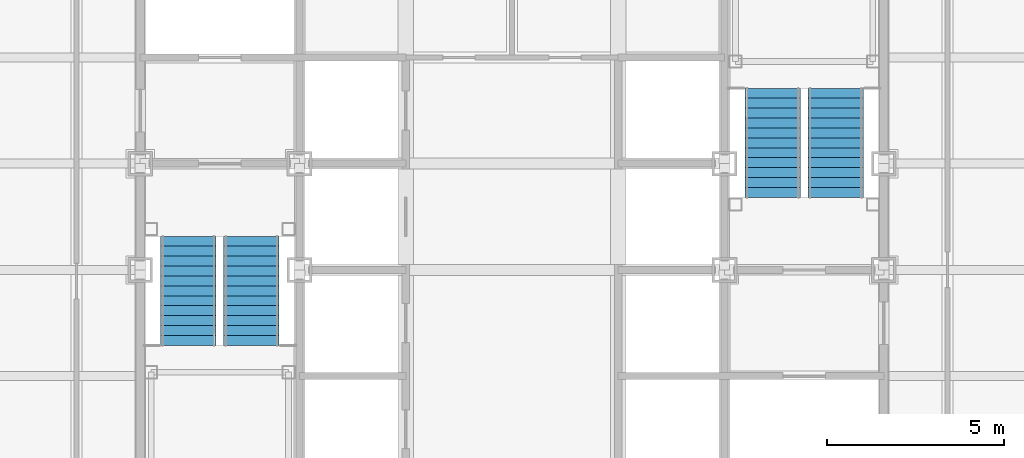
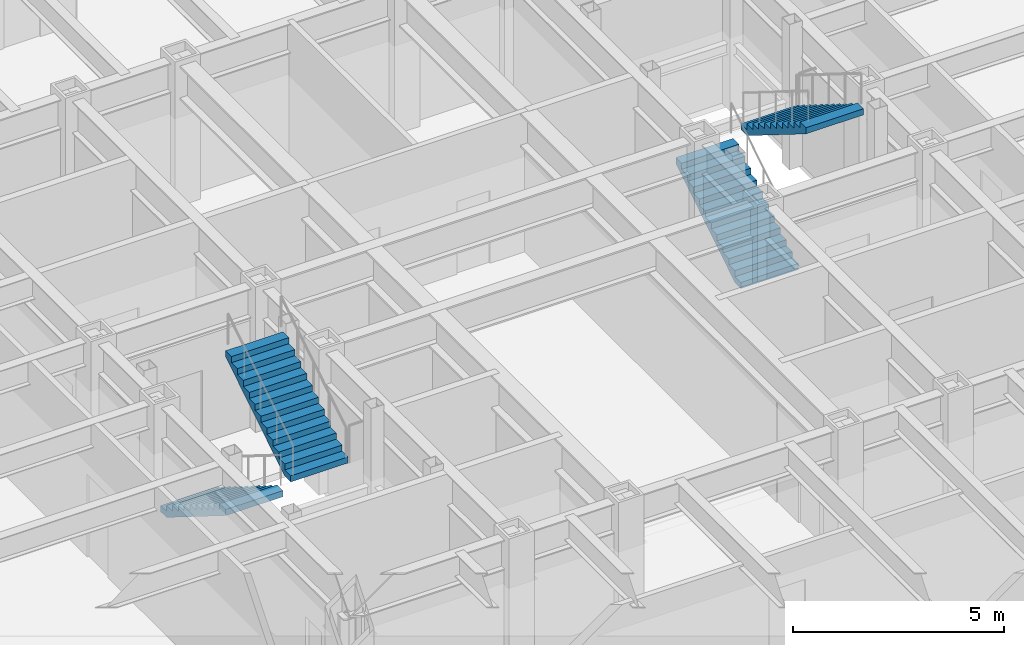
# One storey, part 14 of 17: 4 stair flights, 2 elements without a shape of their own.
"""IFC4 building model written with IfcOpenShell, lengths in metres."""

from ifc_helpers import new_model, si_unit, direction, frame, origin, place, context, subcontext, project, spatial, faceted_brep, material, type_object, element, aggregate, save


model = new_model("IFC4")

# Units and contexts
model_context = context("Model", 3, precision=1e-05, world=origin(), true_north=direction((0.0, 1.0)))
body_context = subcontext(model_context, "Body", "Model", "MODEL_VIEW")
ifc_project = project(units=[si_unit("LENGTHUNIT", "METRE"), si_unit("AREAUNIT", "SQUARE_METRE"), si_unit("VOLUMEUNIT", "CUBIC_METRE"), si_unit("PLANEANGLEUNIT", "RADIAN"), si_unit("MASSUNIT", "GRAM", prefix="KILO")], contexts=[model_context])

# Site, building, storey
site_placement = place(None, origin())
site = spatial("IfcSite", under=ifc_project, at=site_placement, CompositionType="ELEMENT")
building_placement = place(site_placement, origin())
building = spatial("IfcBuilding", under=site, at=building_placement, Name="Chuquiago Exchange Tower", CompositionType="ELEMENT")
storey_placement = place(building_placement, frame((0.0, 0.0, 136.199951171875)))
storey = spatial("IfcBuildingStorey", under=building, at=storey_placement, Name="L29", CompositionType="ELEMENT", Elevation=136.199951171875)

# Stair, stair flights
ifc_material_1 = material(Name="Concrete C30/37, precast", Category="concrete")
stair_type_1 = type_object("IfcStairType", Name="ST1 half-turn stair 4200", PredefinedType="HALF_TURN_STAIR", material=ifc_material_1)
stair_1_placement = place(storey_placement, origin())
stair_1 = element("IfcStair", 1, at=stair_1_placement, inside=storey, type_object=stair_type_1, Name="Stair ST1 L29", PredefinedType="HALF_TURN_STAIR")
ifc_material_2 = material(Name="Concrete C30/37, precast", Category="concrete")
stair_flight_type = type_object("IfcStairFlightType", Name="ST-F flight 1570 for 4200 storey", PredefinedType="STRAIGHT", material=ifc_material_2)
stair_flight_1_placement = place(storey_placement, frame((13.360107421875, 21.949951171875, 0.0), z_axis=(0.0, 0.0, 1.0), x_axis=(0.0, -1.0, 0.0)))
stair_flight_1 = element("IfcStairFlight", 2, at=stair_flight_1_placement, type_object=stair_flight_type, Name="ST1 flight 1", NumberOfRisers=12, NumberOfTreads=11, PredefinedType="STRAIGHT", RiserHeight=0.175, TreadLength=0.28, context=body_context, shape_type="Brep", body=[
    faceted_brep([(0.0, 0.78515625, 0.0), (0.0, 0.78515625, 0.175048828125), (0.280029296875, 0.78515625, 0.175048828125), (0.280029296875, 0.78515625, 0.35009765625), (0.56005859375, 0.78515625, 0.35009765625), (0.56005859375, 0.78515625, 0.52490234375), (0.840087890625, 0.78515625, 0.52490234375), (0.840087890625, 0.78515625, 0.699951171875), (1.1201171875, 0.78515625, 0.699951171875), (1.1201171875, 0.78515625, 0.875), (1.39990234375, 0.78515625, 0.875), (1.39990234375, 0.78515625, 1.050048828125), (1.679931640625, 0.78515625, 1.050048828125), (1.679931640625, 0.78515625, 1.22509765625), (1.9599609375, 0.78515625, 1.22509765625), (1.9599609375, 0.78515625, 1.39990234375), (2.239990234375, 0.78515625, 1.39990234375), (2.239990234375, 0.78515625, 1.574951171875), (2.52001953125, 0.78515625, 1.574951171875), (2.52001953125, 0.78515625, 1.75), (2.800048828125, 0.78515625, 1.75), (2.800048828125, 0.78515625, 1.925048828125), (3.080078125, 0.78515625, 1.925048828125), (3.080078125, 0.78515625, 1.748291015625), (0.28271484375, 0.78515625, 0.0), (0.28271484375, -0.78515625, 0.0), (3.080078125, -0.78515625, 1.748291015625), (3.080078125, -0.78515625, 1.925048828125), (2.800048828125, -0.78515625, 1.925048828125), (2.800048828125, -0.78515625, 1.75), (2.52001953125, -0.78515625, 1.75), (2.52001953125, -0.78515625, 1.574951171875), (2.239990234375, -0.78515625, 1.574951171875), (2.239990234375, -0.78515625, 1.39990234375), (1.9599609375, -0.78515625, 1.39990234375), (1.9599609375, -0.78515625, 1.22509765625), (1.679931640625, -0.78515625, 1.22509765625), (1.679931640625, -0.78515625, 1.050048828125), (1.39990234375, -0.78515625, 1.050048828125), (1.39990234375, -0.78515625, 0.875), (1.1201171875, -0.78515625, 0.875), (1.1201171875, -0.78515625, 0.699951171875), (0.840087890625, -0.78515625, 0.699951171875), (0.840087890625, -0.78515625, 0.52490234375), (0.56005859375, -0.78515625, 0.52490234375), (0.56005859375, -0.78515625, 0.35009765625), (0.280029296875, -0.78515625, 0.35009765625), (0.280029296875, -0.78515625, 0.175048828125), (0.0, -0.78515625, 0.175048828125), (0.0, -0.78515625, 0.0), (0.0, 0.392578125, 0.0), (0.0, 0.392578125, 0.175048828125), (0.0, 0.0, 0.0), (0.0, 0.0, 0.175048828125), (0.0, -0.392578125, 0.0), (0.0, -0.392578125, 0.175048828125), (0.280029296875, 0.392578125, 0.175048828125), (0.280029296875, 0.0, 0.175048828125), (0.280029296875, -0.392578125, 0.175048828125), (0.280029296875, 0.392578125, 0.35009765625), (0.280029296875, 0.0, 0.35009765625), (0.280029296875, -0.392578125, 0.35009765625), (0.56005859375, 0.392578125, 0.35009765625), (0.56005859375, 0.0, 0.35009765625), (0.56005859375, -0.392578125, 0.35009765625), (0.56005859375, 0.392578125, 0.52490234375), (0.56005859375, 0.0, 0.52490234375), (0.56005859375, -0.392578125, 0.52490234375), (0.840087890625, 0.392578125, 0.52490234375), (0.840087890625, 0.0, 0.52490234375), (0.840087890625, -0.392578125, 0.52490234375), (0.840087890625, 0.392578125, 0.699951171875), (0.840087890625, 0.0, 0.699951171875), (0.840087890625, -0.392578125, 0.699951171875), (1.1201171875, 0.392578125, 0.699951171875), (1.1201171875, 0.0, 0.699951171875), (1.1201171875, -0.392578125, 0.699951171875), (1.1201171875, 0.392578125, 0.875), (1.1201171875, 0.0, 0.875), (1.1201171875, -0.392578125, 0.875), (1.39990234375, 0.392578125, 0.875), (1.39990234375, 0.0, 0.875), (1.39990234375, -0.392578125, 0.875), (1.39990234375, 0.392578125, 1.050048828125), (1.39990234375, 0.0, 1.050048828125), (1.39990234375, -0.392578125, 1.050048828125), (1.679931640625, 0.392578125, 1.050048828125), (1.679931640625, 0.0, 1.050048828125), (1.679931640625, -0.392578125, 1.050048828125), (1.679931640625, 0.392578125, 1.22509765625), (1.679931640625, 0.0, 1.22509765625), (1.679931640625, -0.392578125, 1.22509765625), (1.9599609375, 0.392578125, 1.22509765625), (1.9599609375, 0.0, 1.22509765625), (1.9599609375, -0.392578125, 1.22509765625), (1.9599609375, 0.392578125, 1.39990234375), (1.9599609375, 0.0, 1.39990234375), (1.9599609375, -0.392578125, 1.39990234375), (2.239990234375, 0.392578125, 1.39990234375), (2.239990234375, 0.0, 1.39990234375), (2.239990234375, -0.392578125, 1.39990234375), (2.239990234375, 0.392578125, 1.574951171875), (2.239990234375, 0.0, 1.574951171875), (2.239990234375, -0.392578125, 1.574951171875), (2.52001953125, 0.392578125, 1.574951171875), (2.52001953125, 0.0, 1.574951171875), (2.52001953125, -0.392578125, 1.574951171875), (2.52001953125, 0.392578125, 1.75), (2.52001953125, 0.0, 1.75), (2.52001953125, -0.392578125, 1.75), (2.800048828125, 0.392578125, 1.75), (2.800048828125, 0.0, 1.75), (2.800048828125, -0.392578125, 1.75), (2.800048828125, 0.392578125, 1.925048828125), (2.800048828125, 0.0, 1.925048828125), (2.800048828125, -0.392578125, 1.925048828125), (3.080078125, 0.392578125, 1.925048828125), (3.080078125, 0.0, 1.925048828125), (3.080078125, -0.392578125, 1.925048828125), (3.080078125, 0.392578125, 1.748291015625), (3.080078125, 0.0, 1.748291015625), (3.080078125, -0.392578125, 1.748291015625), (0.28271484375, 0.392578125, 0.0), (0.28271484375, 0.0, 0.0), (0.28271484375, -0.392578125, 0.0)], [[[0, 1, 2, 3, 4, 5, 6, 7, 8, 9, 10, 11, 12, 13, 14, 15, 16, 17, 18, 19, 20, 21, 22, 23, 24]], [[25, 26, 27, 28, 29, 30, 31, 32, 33, 34, 35, 36, 37, 38, 39, 40, 41, 42, 43, 44, 45, 46, 47, 48, 49]], [[1, 0, 50, 51]], [[51, 50, 52, 53]], [[53, 52, 54, 55]], [[55, 54, 49, 48]], [[2, 1, 51, 56]], [[56, 51, 53, 57]], [[57, 53, 55, 58]], [[58, 55, 48, 47]], [[3, 2, 56, 59]], [[59, 56, 57, 60]], [[60, 57, 58, 61]], [[61, 58, 47, 46]], [[4, 3, 59, 62]], [[62, 59, 60, 63]], [[63, 60, 61, 64]], [[64, 61, 46, 45]], [[5, 4, 62, 65]], [[65, 62, 63, 66]], [[66, 63, 64, 67]], [[67, 64, 45, 44]], [[6, 5, 65, 68]], [[68, 65, 66, 69]], [[69, 66, 67, 70]], [[70, 67, 44, 43]], [[7, 6, 68, 71]], [[71, 68, 69, 72]], [[72, 69, 70, 73]], [[73, 70, 43, 42]], [[8, 7, 71, 74]], [[74, 71, 72, 75]], [[75, 72, 73, 76]], [[76, 73, 42, 41]], [[9, 8, 74, 77]], [[77, 74, 75, 78]], [[78, 75, 76, 79]], [[79, 76, 41, 40]], [[10, 9, 77, 80]], [[80, 77, 78, 81]], [[81, 78, 79, 82]], [[82, 79, 40, 39]], [[11, 10, 80, 83]], [[83, 80, 81, 84]], [[84, 81, 82, 85]], [[85, 82, 39, 38]], [[12, 11, 83, 86]], [[86, 83, 84, 87]], [[87, 84, 85, 88]], [[88, 85, 38, 37]], [[13, 12, 86, 89]], [[89, 86, 87, 90]], [[90, 87, 88, 91]], [[91, 88, 37, 36]], [[14, 13, 89, 92]], [[92, 89, 90, 93]], [[93, 90, 91, 94]], [[94, 91, 36, 35]], [[15, 14, 92, 95]], [[95, 92, 93, 96]], [[96, 93, 94, 97]], [[97, 94, 35, 34]], [[16, 15, 95, 98]], [[98, 95, 96, 99]], [[99, 96, 97, 100]], [[100, 97, 34, 33]], [[17, 16, 98, 101]], [[101, 98, 99, 102]], [[102, 99, 100, 103]], [[103, 100, 33, 32]], [[18, 17, 101, 104]], [[104, 101, 102, 105]], [[105, 102, 103, 106]], [[106, 103, 32, 31]], [[19, 18, 104, 107]], [[107, 104, 105, 108]], [[108, 105, 106, 109]], [[109, 106, 31, 30]], [[20, 19, 107, 110]], [[110, 107, 108, 111]], [[111, 108, 109, 112]], [[112, 109, 30, 29]], [[21, 20, 110, 113]], [[113, 110, 111, 114]], [[114, 111, 112, 115]], [[115, 112, 29, 28]], [[22, 21, 113, 116]], [[116, 113, 114, 117]], [[117, 114, 115, 118]], [[118, 115, 28, 27]], [[23, 22, 116, 119]], [[119, 116, 117, 120]], [[120, 117, 118, 121]], [[121, 118, 27, 26]], [[24, 23, 119, 122]], [[122, 119, 120, 123]], [[123, 120, 121, 124]], [[124, 121, 26, 25]], [[0, 24, 122, 50]], [[50, 122, 123, 52]], [[52, 123, 124, 54]], [[54, 124, 25, 49]]]),
])
stair_flight_2_placement = place(storey_placement, frame((15.139892578125, 18.8701171875, 2.10009765625), z_axis=(0.0, 0.0, 1.0), x_axis=(0.0, 1.0, 0.0)))
stair_flight_2 = element("IfcStairFlight", 3, at=stair_flight_2_placement, type_object=stair_flight_type, Name="ST1 flight 2", NumberOfRisers=12, NumberOfTreads=11, PredefinedType="STRAIGHT", RiserHeight=0.175, TreadLength=0.28, context=body_context, shape_type="Brep", body=[
    faceted_brep([(0.0, 0.78515625, 0.0), (0.0, 0.78515625, 0.175048828125), (0.280029296875, 0.78515625, 0.175048828125), (0.280029296875, 0.78515625, 0.35009765625), (0.56005859375, 0.78515625, 0.35009765625), (0.56005859375, 0.78515625, 0.52490234375), (0.840087890625, 0.78515625, 0.52490234375), (0.840087890625, 0.78515625, 0.699951171875), (1.1201171875, 0.78515625, 0.699951171875), (1.1201171875, 0.78515625, 0.875), (1.39990234375, 0.78515625, 0.875), (1.39990234375, 0.78515625, 1.050048828125), (1.679931640625, 0.78515625, 1.050048828125), (1.679931640625, 0.78515625, 1.22509765625), (1.9599609375, 0.78515625, 1.22509765625), (1.9599609375, 0.78515625, 1.39990234375), (2.239990234375, 0.78515625, 1.39990234375), (2.239990234375, 0.78515625, 1.574951171875), (2.52001953125, 0.78515625, 1.574951171875), (2.52001953125, 0.78515625, 1.75), (2.800048828125, 0.78515625, 1.75), (2.800048828125, 0.78515625, 1.925048828125), (3.080078125, 0.78515625, 1.925048828125), (3.080078125, 0.78515625, 1.748291015625), (0.28271484375, 0.78515625, 0.0), (0.28271484375, -0.78515625, 0.0), (3.080078125, -0.78515625, 1.748291015625), (3.080078125, -0.78515625, 1.925048828125), (2.800048828125, -0.78515625, 1.925048828125), (2.800048828125, -0.78515625, 1.75), (2.52001953125, -0.78515625, 1.75), (2.52001953125, -0.78515625, 1.574951171875), (2.239990234375, -0.78515625, 1.574951171875), (2.239990234375, -0.78515625, 1.39990234375), (1.9599609375, -0.78515625, 1.39990234375), (1.9599609375, -0.78515625, 1.22509765625), (1.679931640625, -0.78515625, 1.22509765625), (1.679931640625, -0.78515625, 1.050048828125), (1.39990234375, -0.78515625, 1.050048828125), (1.39990234375, -0.78515625, 0.875), (1.1201171875, -0.78515625, 0.875), (1.1201171875, -0.78515625, 0.699951171875), (0.840087890625, -0.78515625, 0.699951171875), (0.840087890625, -0.78515625, 0.52490234375), (0.56005859375, -0.78515625, 0.52490234375), (0.56005859375, -0.78515625, 0.35009765625), (0.280029296875, -0.78515625, 0.35009765625), (0.280029296875, -0.78515625, 0.175048828125), (0.0, -0.78515625, 0.175048828125), (0.0, -0.78515625, 0.0), (0.0, 0.392578125, 0.0), (0.0, 0.392578125, 0.175048828125), (0.0, 0.0, 0.0), (0.0, 0.0, 0.175048828125), (0.0, -0.392578125, 0.0), (0.0, -0.392578125, 0.175048828125), (0.280029296875, 0.392578125, 0.175048828125), (0.280029296875, 0.0, 0.175048828125), (0.280029296875, -0.392578125, 0.175048828125), (0.280029296875, 0.392578125, 0.35009765625), (0.280029296875, 0.0, 0.35009765625), (0.280029296875, -0.392578125, 0.35009765625), (0.56005859375, 0.392578125, 0.35009765625), (0.56005859375, 0.0, 0.35009765625), (0.56005859375, -0.392578125, 0.35009765625), (0.56005859375, 0.392578125, 0.52490234375), (0.56005859375, 0.0, 0.52490234375), (0.56005859375, -0.392578125, 0.52490234375), (0.840087890625, 0.392578125, 0.52490234375), (0.840087890625, 0.0, 0.52490234375), (0.840087890625, -0.392578125, 0.52490234375), (0.840087890625, 0.392578125, 0.699951171875), (0.840087890625, 0.0, 0.699951171875), (0.840087890625, -0.392578125, 0.699951171875), (1.1201171875, 0.392578125, 0.699951171875), (1.1201171875, 0.0, 0.699951171875), (1.1201171875, -0.392578125, 0.699951171875), (1.1201171875, 0.392578125, 0.875), (1.1201171875, 0.0, 0.875), (1.1201171875, -0.392578125, 0.875), (1.39990234375, 0.392578125, 0.875), (1.39990234375, 0.0, 0.875), (1.39990234375, -0.392578125, 0.875), (1.39990234375, 0.392578125, 1.050048828125), (1.39990234375, 0.0, 1.050048828125), (1.39990234375, -0.392578125, 1.050048828125), (1.679931640625, 0.392578125, 1.050048828125), (1.679931640625, 0.0, 1.050048828125), (1.679931640625, -0.392578125, 1.050048828125), (1.679931640625, 0.392578125, 1.22509765625), (1.679931640625, 0.0, 1.22509765625), (1.679931640625, -0.392578125, 1.22509765625), (1.9599609375, 0.392578125, 1.22509765625), (1.9599609375, 0.0, 1.22509765625), (1.9599609375, -0.392578125, 1.22509765625), (1.9599609375, 0.392578125, 1.39990234375), (1.9599609375, 0.0, 1.39990234375), (1.9599609375, -0.392578125, 1.39990234375), (2.239990234375, 0.392578125, 1.39990234375), (2.239990234375, 0.0, 1.39990234375), (2.239990234375, -0.392578125, 1.39990234375), (2.239990234375, 0.392578125, 1.574951171875), (2.239990234375, 0.0, 1.574951171875), (2.239990234375, -0.392578125, 1.574951171875), (2.52001953125, 0.392578125, 1.574951171875), (2.52001953125, 0.0, 1.574951171875), (2.52001953125, -0.392578125, 1.574951171875), (2.52001953125, 0.392578125, 1.75), (2.52001953125, 0.0, 1.75), (2.52001953125, -0.392578125, 1.75), (2.800048828125, 0.392578125, 1.75), (2.800048828125, 0.0, 1.75), (2.800048828125, -0.392578125, 1.75), (2.800048828125, 0.392578125, 1.925048828125), (2.800048828125, 0.0, 1.925048828125), (2.800048828125, -0.392578125, 1.925048828125), (3.080078125, 0.392578125, 1.925048828125), (3.080078125, 0.0, 1.925048828125), (3.080078125, -0.392578125, 1.925048828125), (3.080078125, 0.392578125, 1.748291015625), (3.080078125, 0.0, 1.748291015625), (3.080078125, -0.392578125, 1.748291015625), (0.28271484375, 0.392578125, 0.0), (0.28271484375, 0.0, 0.0), (0.28271484375, -0.392578125, 0.0)], [[[0, 1, 2, 3, 4, 5, 6, 7, 8, 9, 10, 11, 12, 13, 14, 15, 16, 17, 18, 19, 20, 21, 22, 23, 24]], [[25, 26, 27, 28, 29, 30, 31, 32, 33, 34, 35, 36, 37, 38, 39, 40, 41, 42, 43, 44, 45, 46, 47, 48, 49]], [[1, 0, 50, 51]], [[51, 50, 52, 53]], [[53, 52, 54, 55]], [[55, 54, 49, 48]], [[2, 1, 51, 56]], [[56, 51, 53, 57]], [[57, 53, 55, 58]], [[58, 55, 48, 47]], [[3, 2, 56, 59]], [[59, 56, 57, 60]], [[60, 57, 58, 61]], [[61, 58, 47, 46]], [[4, 3, 59, 62]], [[62, 59, 60, 63]], [[63, 60, 61, 64]], [[64, 61, 46, 45]], [[5, 4, 62, 65]], [[65, 62, 63, 66]], [[66, 63, 64, 67]], [[67, 64, 45, 44]], [[6, 5, 65, 68]], [[68, 65, 66, 69]], [[69, 66, 67, 70]], [[70, 67, 44, 43]], [[7, 6, 68, 71]], [[71, 68, 69, 72]], [[72, 69, 70, 73]], [[73, 70, 43, 42]], [[8, 7, 71, 74]], [[74, 71, 72, 75]], [[75, 72, 73, 76]], [[76, 73, 42, 41]], [[9, 8, 74, 77]], [[77, 74, 75, 78]], [[78, 75, 76, 79]], [[79, 76, 41, 40]], [[10, 9, 77, 80]], [[80, 77, 78, 81]], [[81, 78, 79, 82]], [[82, 79, 40, 39]], [[11, 10, 80, 83]], [[83, 80, 81, 84]], [[84, 81, 82, 85]], [[85, 82, 39, 38]], [[12, 11, 83, 86]], [[86, 83, 84, 87]], [[87, 84, 85, 88]], [[88, 85, 38, 37]], [[13, 12, 86, 89]], [[89, 86, 87, 90]], [[90, 87, 88, 91]], [[91, 88, 37, 36]], [[14, 13, 89, 92]], [[92, 89, 90, 93]], [[93, 90, 91, 94]], [[94, 91, 36, 35]], [[15, 14, 92, 95]], [[95, 92, 93, 96]], [[96, 93, 94, 97]], [[97, 94, 35, 34]], [[16, 15, 95, 98]], [[98, 95, 96, 99]], [[99, 96, 97, 100]], [[100, 97, 34, 33]], [[17, 16, 98, 101]], [[101, 98, 99, 102]], [[102, 99, 100, 103]], [[103, 100, 33, 32]], [[18, 17, 101, 104]], [[104, 101, 102, 105]], [[105, 102, 103, 106]], [[106, 103, 32, 31]], [[19, 18, 104, 107]], [[107, 104, 105, 108]], [[108, 105, 106, 109]], [[109, 106, 31, 30]], [[20, 19, 107, 110]], [[110, 107, 108, 111]], [[111, 108, 109, 112]], [[112, 109, 30, 29]], [[21, 20, 110, 113]], [[113, 110, 111, 114]], [[114, 111, 112, 115]], [[115, 112, 29, 28]], [[22, 21, 113, 116]], [[116, 113, 114, 117]], [[117, 114, 115, 118]], [[118, 115, 28, 27]], [[23, 22, 116, 119]], [[119, 116, 117, 120]], [[120, 117, 118, 121]], [[121, 118, 27, 26]], [[24, 23, 119, 122]], [[122, 119, 120, 123]], [[123, 120, 121, 124]], [[124, 121, 26, 25]], [[0, 24, 122, 50]], [[50, 122, 123, 52]], [[52, 123, 124, 54]], [[54, 124, 25, 49]]]),
])
aggregate(stair_1, [stair_flight_1, stair_flight_2])

ifc_material_3 = material(Name="Concrete C30/37, precast", Category="concrete")
stair_type_2 = type_object("IfcStairType", Name="ST2 half-turn stair 4200", PredefinedType="HALF_TURN_STAIR", material=ifc_material_3)
stair_2_placement = place(storey_placement, origin())
stair_2 = element("IfcStair", 4, at=stair_2_placement, inside=storey, type_object=stair_type_2, Name="Stair ST2 L29", PredefinedType="HALF_TURN_STAIR")
stair_flight_3_placement = place(storey_placement, frame((29.860107421875, 23.050048828125, 0.0), z_axis=(0.0, 0.0, 1.0), x_axis=(0.0, 1.0, 0.0)))
stair_flight_3 = element("IfcStairFlight", 5, at=stair_flight_3_placement, type_object=stair_flight_type, Name="ST2 flight 1", NumberOfRisers=12, NumberOfTreads=11, PredefinedType="STRAIGHT", RiserHeight=0.175, TreadLength=0.28, context=body_context, shape_type="Brep", body=[
    faceted_brep([(0.0, 0.78515625, 0.0), (0.0, 0.78515625, 0.175048828125), (0.280029296875, 0.78515625, 0.175048828125), (0.280029296875, 0.78515625, 0.35009765625), (0.56005859375, 0.78515625, 0.35009765625), (0.56005859375, 0.78515625, 0.52490234375), (0.840087890625, 0.78515625, 0.52490234375), (0.840087890625, 0.78515625, 0.699951171875), (1.1201171875, 0.78515625, 0.699951171875), (1.1201171875, 0.78515625, 0.875), (1.39990234375, 0.78515625, 0.875), (1.39990234375, 0.78515625, 1.050048828125), (1.679931640625, 0.78515625, 1.050048828125), (1.679931640625, 0.78515625, 1.22509765625), (1.9599609375, 0.78515625, 1.22509765625), (1.9599609375, 0.78515625, 1.39990234375), (2.239990234375, 0.78515625, 1.39990234375), (2.239990234375, 0.78515625, 1.574951171875), (2.52001953125, 0.78515625, 1.574951171875), (2.52001953125, 0.78515625, 1.75), (2.800048828125, 0.78515625, 1.75), (2.800048828125, 0.78515625, 1.925048828125), (3.080078125, 0.78515625, 1.925048828125), (3.080078125, 0.78515625, 1.748291015625), (0.28271484375, 0.78515625, 0.0), (0.28271484375, -0.78515625, 0.0), (3.080078125, -0.78515625, 1.748291015625), (3.080078125, -0.78515625, 1.925048828125), (2.800048828125, -0.78515625, 1.925048828125), (2.800048828125, -0.78515625, 1.75), (2.52001953125, -0.78515625, 1.75), (2.52001953125, -0.78515625, 1.574951171875), (2.239990234375, -0.78515625, 1.574951171875), (2.239990234375, -0.78515625, 1.39990234375), (1.9599609375, -0.78515625, 1.39990234375), (1.9599609375, -0.78515625, 1.22509765625), (1.679931640625, -0.78515625, 1.22509765625), (1.679931640625, -0.78515625, 1.050048828125), (1.39990234375, -0.78515625, 1.050048828125), (1.39990234375, -0.78515625, 0.875), (1.1201171875, -0.78515625, 0.875), (1.1201171875, -0.78515625, 0.699951171875), (0.840087890625, -0.78515625, 0.699951171875), (0.840087890625, -0.78515625, 0.52490234375), (0.56005859375, -0.78515625, 0.52490234375), (0.56005859375, -0.78515625, 0.35009765625), (0.280029296875, -0.78515625, 0.35009765625), (0.280029296875, -0.78515625, 0.175048828125), (0.0, -0.78515625, 0.175048828125), (0.0, -0.78515625, 0.0), (0.0, 0.392578125, 0.0), (0.0, 0.392578125, 0.175048828125), (0.0, 0.0, 0.0), (0.0, 0.0, 0.175048828125), (0.0, -0.392578125, 0.0), (0.0, -0.392578125, 0.175048828125), (0.280029296875, 0.392578125, 0.175048828125), (0.280029296875, 0.0, 0.175048828125), (0.280029296875, -0.392578125, 0.175048828125), (0.280029296875, 0.392578125, 0.35009765625), (0.280029296875, 0.0, 0.35009765625), (0.280029296875, -0.392578125, 0.35009765625), (0.56005859375, 0.392578125, 0.35009765625), (0.56005859375, 0.0, 0.35009765625), (0.56005859375, -0.392578125, 0.35009765625), (0.56005859375, 0.392578125, 0.52490234375), (0.56005859375, 0.0, 0.52490234375), (0.56005859375, -0.392578125, 0.52490234375), (0.840087890625, 0.392578125, 0.52490234375), (0.840087890625, 0.0, 0.52490234375), (0.840087890625, -0.392578125, 0.52490234375), (0.840087890625, 0.392578125, 0.699951171875), (0.840087890625, 0.0, 0.699951171875), (0.840087890625, -0.392578125, 0.699951171875), (1.1201171875, 0.392578125, 0.699951171875), (1.1201171875, 0.0, 0.699951171875), (1.1201171875, -0.392578125, 0.699951171875), (1.1201171875, 0.392578125, 0.875), (1.1201171875, 0.0, 0.875), (1.1201171875, -0.392578125, 0.875), (1.39990234375, 0.392578125, 0.875), (1.39990234375, 0.0, 0.875), (1.39990234375, -0.392578125, 0.875), (1.39990234375, 0.392578125, 1.050048828125), (1.39990234375, 0.0, 1.050048828125), (1.39990234375, -0.392578125, 1.050048828125), (1.679931640625, 0.392578125, 1.050048828125), (1.679931640625, 0.0, 1.050048828125), (1.679931640625, -0.392578125, 1.050048828125), (1.679931640625, 0.392578125, 1.22509765625), (1.679931640625, 0.0, 1.22509765625), (1.679931640625, -0.392578125, 1.22509765625), (1.9599609375, 0.392578125, 1.22509765625), (1.9599609375, 0.0, 1.22509765625), (1.9599609375, -0.392578125, 1.22509765625), (1.9599609375, 0.392578125, 1.39990234375), (1.9599609375, 0.0, 1.39990234375), (1.9599609375, -0.392578125, 1.39990234375), (2.239990234375, 0.392578125, 1.39990234375), (2.239990234375, 0.0, 1.39990234375), (2.239990234375, -0.392578125, 1.39990234375), (2.239990234375, 0.392578125, 1.574951171875), (2.239990234375, 0.0, 1.574951171875), (2.239990234375, -0.392578125, 1.574951171875), (2.52001953125, 0.392578125, 1.574951171875), (2.52001953125, 0.0, 1.574951171875), (2.52001953125, -0.392578125, 1.574951171875), (2.52001953125, 0.392578125, 1.75), (2.52001953125, 0.0, 1.75), (2.52001953125, -0.392578125, 1.75), (2.800048828125, 0.392578125, 1.75), (2.800048828125, 0.0, 1.75), (2.800048828125, -0.392578125, 1.75), (2.800048828125, 0.392578125, 1.925048828125), (2.800048828125, 0.0, 1.925048828125), (2.800048828125, -0.392578125, 1.925048828125), (3.080078125, 0.392578125, 1.925048828125), (3.080078125, 0.0, 1.925048828125), (3.080078125, -0.392578125, 1.925048828125), (3.080078125, 0.392578125, 1.748291015625), (3.080078125, 0.0, 1.748291015625), (3.080078125, -0.392578125, 1.748291015625), (0.28271484375, 0.392578125, 0.0), (0.28271484375, 0.0, 0.0), (0.28271484375, -0.392578125, 0.0)], [[[0, 1, 2, 3, 4, 5, 6, 7, 8, 9, 10, 11, 12, 13, 14, 15, 16, 17, 18, 19, 20, 21, 22, 23, 24]], [[25, 26, 27, 28, 29, 30, 31, 32, 33, 34, 35, 36, 37, 38, 39, 40, 41, 42, 43, 44, 45, 46, 47, 48, 49]], [[1, 0, 50, 51]], [[51, 50, 52, 53]], [[53, 52, 54, 55]], [[55, 54, 49, 48]], [[2, 1, 51, 56]], [[56, 51, 53, 57]], [[57, 53, 55, 58]], [[58, 55, 48, 47]], [[3, 2, 56, 59]], [[59, 56, 57, 60]], [[60, 57, 58, 61]], [[61, 58, 47, 46]], [[4, 3, 59, 62]], [[62, 59, 60, 63]], [[63, 60, 61, 64]], [[64, 61, 46, 45]], [[5, 4, 62, 65]], [[65, 62, 63, 66]], [[66, 63, 64, 67]], [[67, 64, 45, 44]], [[6, 5, 65, 68]], [[68, 65, 66, 69]], [[69, 66, 67, 70]], [[70, 67, 44, 43]], [[7, 6, 68, 71]], [[71, 68, 69, 72]], [[72, 69, 70, 73]], [[73, 70, 43, 42]], [[8, 7, 71, 74]], [[74, 71, 72, 75]], [[75, 72, 73, 76]], [[76, 73, 42, 41]], [[9, 8, 74, 77]], [[77, 74, 75, 78]], [[78, 75, 76, 79]], [[79, 76, 41, 40]], [[10, 9, 77, 80]], [[80, 77, 78, 81]], [[81, 78, 79, 82]], [[82, 79, 40, 39]], [[11, 10, 80, 83]], [[83, 80, 81, 84]], [[84, 81, 82, 85]], [[85, 82, 39, 38]], [[12, 11, 83, 86]], [[86, 83, 84, 87]], [[87, 84, 85, 88]], [[88, 85, 38, 37]], [[13, 12, 86, 89]], [[89, 86, 87, 90]], [[90, 87, 88, 91]], [[91, 88, 37, 36]], [[14, 13, 89, 92]], [[92, 89, 90, 93]], [[93, 90, 91, 94]], [[94, 91, 36, 35]], [[15, 14, 92, 95]], [[95, 92, 93, 96]], [[96, 93, 94, 97]], [[97, 94, 35, 34]], [[16, 15, 95, 98]], [[98, 95, 96, 99]], [[99, 96, 97, 100]], [[100, 97, 34, 33]], [[17, 16, 98, 101]], [[101, 98, 99, 102]], [[102, 99, 100, 103]], [[103, 100, 33, 32]], [[18, 17, 101, 104]], [[104, 101, 102, 105]], [[105, 102, 103, 106]], [[106, 103, 32, 31]], [[19, 18, 104, 107]], [[107, 104, 105, 108]], [[108, 105, 106, 109]], [[109, 106, 31, 30]], [[20, 19, 107, 110]], [[110, 107, 108, 111]], [[111, 108, 109, 112]], [[112, 109, 30, 29]], [[21, 20, 110, 113]], [[113, 110, 111, 114]], [[114, 111, 112, 115]], [[115, 112, 29, 28]], [[22, 21, 113, 116]], [[116, 113, 114, 117]], [[117, 114, 115, 118]], [[118, 115, 28, 27]], [[23, 22, 116, 119]], [[119, 116, 117, 120]], [[120, 117, 118, 121]], [[121, 118, 27, 26]], [[24, 23, 119, 122]], [[122, 119, 120, 123]], [[123, 120, 121, 124]], [[124, 121, 26, 25]], [[0, 24, 122, 50]], [[50, 122, 123, 52]], [[52, 123, 124, 54]], [[54, 124, 25, 49]]]),
])
stair_flight_4_placement = place(storey_placement, frame((31.639892578125, 26.1298828125, 2.10009765625), z_axis=(0.0, 0.0, 1.0), x_axis=(0.0, -1.0, 0.0)))
stair_flight_4 = element("IfcStairFlight", 6, at=stair_flight_4_placement, type_object=stair_flight_type, Name="ST2 flight 2", NumberOfRisers=12, NumberOfTreads=11, PredefinedType="STRAIGHT", RiserHeight=0.175, TreadLength=0.28, context=body_context, shape_type="Brep", body=[
    faceted_brep([(0.0, 0.78515625, 0.0), (0.0, 0.78515625, 0.175048828125), (0.280029296875, 0.78515625, 0.175048828125), (0.280029296875, 0.78515625, 0.35009765625), (0.56005859375, 0.78515625, 0.35009765625), (0.56005859375, 0.78515625, 0.52490234375), (0.840087890625, 0.78515625, 0.52490234375), (0.840087890625, 0.78515625, 0.699951171875), (1.1201171875, 0.78515625, 0.699951171875), (1.1201171875, 0.78515625, 0.875), (1.39990234375, 0.78515625, 0.875), (1.39990234375, 0.78515625, 1.050048828125), (1.679931640625, 0.78515625, 1.050048828125), (1.679931640625, 0.78515625, 1.22509765625), (1.9599609375, 0.78515625, 1.22509765625), (1.9599609375, 0.78515625, 1.39990234375), (2.239990234375, 0.78515625, 1.39990234375), (2.239990234375, 0.78515625, 1.574951171875), (2.52001953125, 0.78515625, 1.574951171875), (2.52001953125, 0.78515625, 1.75), (2.800048828125, 0.78515625, 1.75), (2.800048828125, 0.78515625, 1.925048828125), (3.080078125, 0.78515625, 1.925048828125), (3.080078125, 0.78515625, 1.748291015625), (0.28271484375, 0.78515625, 0.0), (0.28271484375, -0.78515625, 0.0), (3.080078125, -0.78515625, 1.748291015625), (3.080078125, -0.78515625, 1.925048828125), (2.800048828125, -0.78515625, 1.925048828125), (2.800048828125, -0.78515625, 1.75), (2.52001953125, -0.78515625, 1.75), (2.52001953125, -0.78515625, 1.574951171875), (2.239990234375, -0.78515625, 1.574951171875), (2.239990234375, -0.78515625, 1.39990234375), (1.9599609375, -0.78515625, 1.39990234375), (1.9599609375, -0.78515625, 1.22509765625), (1.679931640625, -0.78515625, 1.22509765625), (1.679931640625, -0.78515625, 1.050048828125), (1.39990234375, -0.78515625, 1.050048828125), (1.39990234375, -0.78515625, 0.875), (1.1201171875, -0.78515625, 0.875), (1.1201171875, -0.78515625, 0.699951171875), (0.840087890625, -0.78515625, 0.699951171875), (0.840087890625, -0.78515625, 0.52490234375), (0.56005859375, -0.78515625, 0.52490234375), (0.56005859375, -0.78515625, 0.35009765625), (0.280029296875, -0.78515625, 0.35009765625), (0.280029296875, -0.78515625, 0.175048828125), (0.0, -0.78515625, 0.175048828125), (0.0, -0.78515625, 0.0), (0.0, 0.392578125, 0.0), (0.0, 0.392578125, 0.175048828125), (0.0, 0.0, 0.0), (0.0, 0.0, 0.175048828125), (0.0, -0.392578125, 0.0), (0.0, -0.392578125, 0.175048828125), (0.280029296875, 0.392578125, 0.175048828125), (0.280029296875, 0.0, 0.175048828125), (0.280029296875, -0.392578125, 0.175048828125), (0.280029296875, 0.392578125, 0.35009765625), (0.280029296875, 0.0, 0.35009765625), (0.280029296875, -0.392578125, 0.35009765625), (0.56005859375, 0.392578125, 0.35009765625), (0.56005859375, 0.0, 0.35009765625), (0.56005859375, -0.392578125, 0.35009765625), (0.56005859375, 0.392578125, 0.52490234375), (0.56005859375, 0.0, 0.52490234375), (0.56005859375, -0.392578125, 0.52490234375), (0.840087890625, 0.392578125, 0.52490234375), (0.840087890625, 0.0, 0.52490234375), (0.840087890625, -0.392578125, 0.52490234375), (0.840087890625, 0.392578125, 0.699951171875), (0.840087890625, 0.0, 0.699951171875), (0.840087890625, -0.392578125, 0.699951171875), (1.1201171875, 0.392578125, 0.699951171875), (1.1201171875, 0.0, 0.699951171875), (1.1201171875, -0.392578125, 0.699951171875), (1.1201171875, 0.392578125, 0.875), (1.1201171875, 0.0, 0.875), (1.1201171875, -0.392578125, 0.875), (1.39990234375, 0.392578125, 0.875), (1.39990234375, 0.0, 0.875), (1.39990234375, -0.392578125, 0.875), (1.39990234375, 0.392578125, 1.050048828125), (1.39990234375, 0.0, 1.050048828125), (1.39990234375, -0.392578125, 1.050048828125), (1.679931640625, 0.392578125, 1.050048828125), (1.679931640625, 0.0, 1.050048828125), (1.679931640625, -0.392578125, 1.050048828125), (1.679931640625, 0.392578125, 1.22509765625), (1.679931640625, 0.0, 1.22509765625), (1.679931640625, -0.392578125, 1.22509765625), (1.9599609375, 0.392578125, 1.22509765625), (1.9599609375, 0.0, 1.22509765625), (1.9599609375, -0.392578125, 1.22509765625), (1.9599609375, 0.392578125, 1.39990234375), (1.9599609375, 0.0, 1.39990234375), (1.9599609375, -0.392578125, 1.39990234375), (2.239990234375, 0.392578125, 1.39990234375), (2.239990234375, 0.0, 1.39990234375), (2.239990234375, -0.392578125, 1.39990234375), (2.239990234375, 0.392578125, 1.574951171875), (2.239990234375, 0.0, 1.574951171875), (2.239990234375, -0.392578125, 1.574951171875), (2.52001953125, 0.392578125, 1.574951171875), (2.52001953125, 0.0, 1.574951171875), (2.52001953125, -0.392578125, 1.574951171875), (2.52001953125, 0.392578125, 1.75), (2.52001953125, 0.0, 1.75), (2.52001953125, -0.392578125, 1.75), (2.800048828125, 0.392578125, 1.75), (2.800048828125, 0.0, 1.75), (2.800048828125, -0.392578125, 1.75), (2.800048828125, 0.392578125, 1.925048828125), (2.800048828125, 0.0, 1.925048828125), (2.800048828125, -0.392578125, 1.925048828125), (3.080078125, 0.392578125, 1.925048828125), (3.080078125, 0.0, 1.925048828125), (3.080078125, -0.392578125, 1.925048828125), (3.080078125, 0.392578125, 1.748291015625), (3.080078125, 0.0, 1.748291015625), (3.080078125, -0.392578125, 1.748291015625), (0.28271484375, 0.392578125, 0.0), (0.28271484375, 0.0, 0.0), (0.28271484375, -0.392578125, 0.0)], [[[0, 1, 2, 3, 4, 5, 6, 7, 8, 9, 10, 11, 12, 13, 14, 15, 16, 17, 18, 19, 20, 21, 22, 23, 24]], [[25, 26, 27, 28, 29, 30, 31, 32, 33, 34, 35, 36, 37, 38, 39, 40, 41, 42, 43, 44, 45, 46, 47, 48, 49]], [[1, 0, 50, 51]], [[51, 50, 52, 53]], [[53, 52, 54, 55]], [[55, 54, 49, 48]], [[2, 1, 51, 56]], [[56, 51, 53, 57]], [[57, 53, 55, 58]], [[58, 55, 48, 47]], [[3, 2, 56, 59]], [[59, 56, 57, 60]], [[60, 57, 58, 61]], [[61, 58, 47, 46]], [[4, 3, 59, 62]], [[62, 59, 60, 63]], [[63, 60, 61, 64]], [[64, 61, 46, 45]], [[5, 4, 62, 65]], [[65, 62, 63, 66]], [[66, 63, 64, 67]], [[67, 64, 45, 44]], [[6, 5, 65, 68]], [[68, 65, 66, 69]], [[69, 66, 67, 70]], [[70, 67, 44, 43]], [[7, 6, 68, 71]], [[71, 68, 69, 72]], [[72, 69, 70, 73]], [[73, 70, 43, 42]], [[8, 7, 71, 74]], [[74, 71, 72, 75]], [[75, 72, 73, 76]], [[76, 73, 42, 41]], [[9, 8, 74, 77]], [[77, 74, 75, 78]], [[78, 75, 76, 79]], [[79, 76, 41, 40]], [[10, 9, 77, 80]], [[80, 77, 78, 81]], [[81, 78, 79, 82]], [[82, 79, 40, 39]], [[11, 10, 80, 83]], [[83, 80, 81, 84]], [[84, 81, 82, 85]], [[85, 82, 39, 38]], [[12, 11, 83, 86]], [[86, 83, 84, 87]], [[87, 84, 85, 88]], [[88, 85, 38, 37]], [[13, 12, 86, 89]], [[89, 86, 87, 90]], [[90, 87, 88, 91]], [[91, 88, 37, 36]], [[14, 13, 89, 92]], [[92, 89, 90, 93]], [[93, 90, 91, 94]], [[94, 91, 36, 35]], [[15, 14, 92, 95]], [[95, 92, 93, 96]], [[96, 93, 94, 97]], [[97, 94, 35, 34]], [[16, 15, 95, 98]], [[98, 95, 96, 99]], [[99, 96, 97, 100]], [[100, 97, 34, 33]], [[17, 16, 98, 101]], [[101, 98, 99, 102]], [[102, 99, 100, 103]], [[103, 100, 33, 32]], [[18, 17, 101, 104]], [[104, 101, 102, 105]], [[105, 102, 103, 106]], [[106, 103, 32, 31]], [[19, 18, 104, 107]], [[107, 104, 105, 108]], [[108, 105, 106, 109]], [[109, 106, 31, 30]], [[20, 19, 107, 110]], [[110, 107, 108, 111]], [[111, 108, 109, 112]], [[112, 109, 30, 29]], [[21, 20, 110, 113]], [[113, 110, 111, 114]], [[114, 111, 112, 115]], [[115, 112, 29, 28]], [[22, 21, 113, 116]], [[116, 113, 114, 117]], [[117, 114, 115, 118]], [[118, 115, 28, 27]], [[23, 22, 116, 119]], [[119, 116, 117, 120]], [[120, 117, 118, 121]], [[121, 118, 27, 26]], [[24, 23, 119, 122]], [[122, 119, 120, 123]], [[123, 120, 121, 124]], [[124, 121, 26, 25]], [[0, 24, 122, 50]], [[50, 122, 123, 52]], [[52, 123, 124, 54]], [[54, 124, 25, 49]]]),
])
aggregate(stair_2, [stair_flight_3, stair_flight_4])

save(model, "model.ifc")
